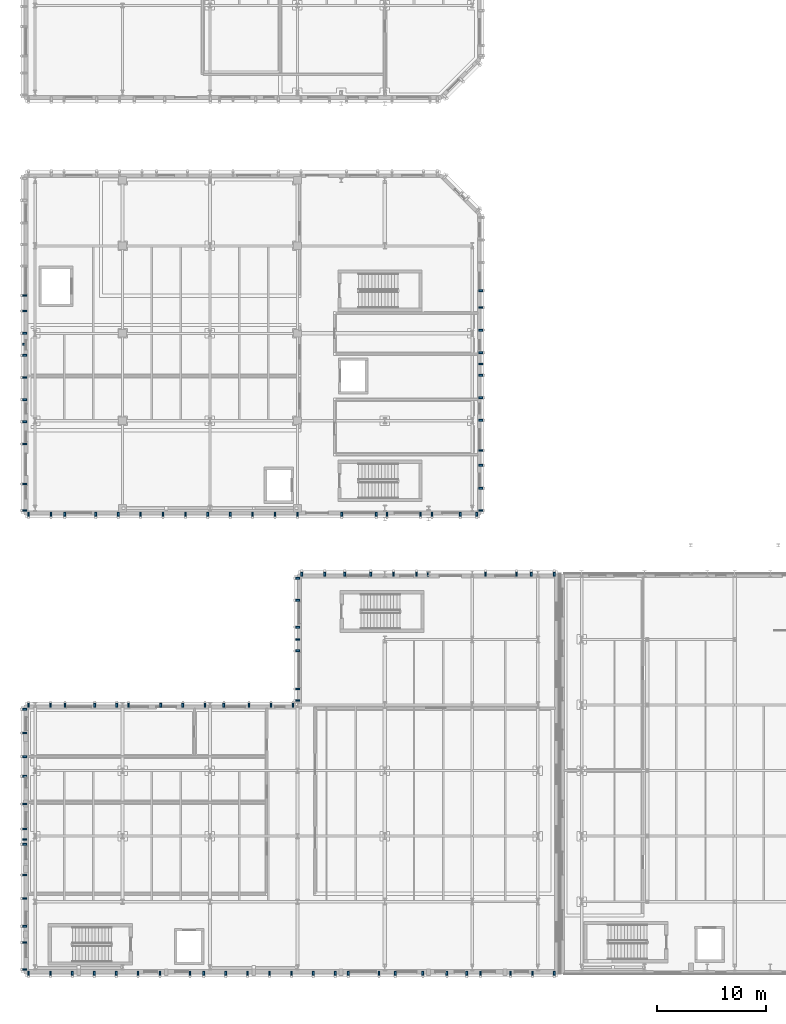
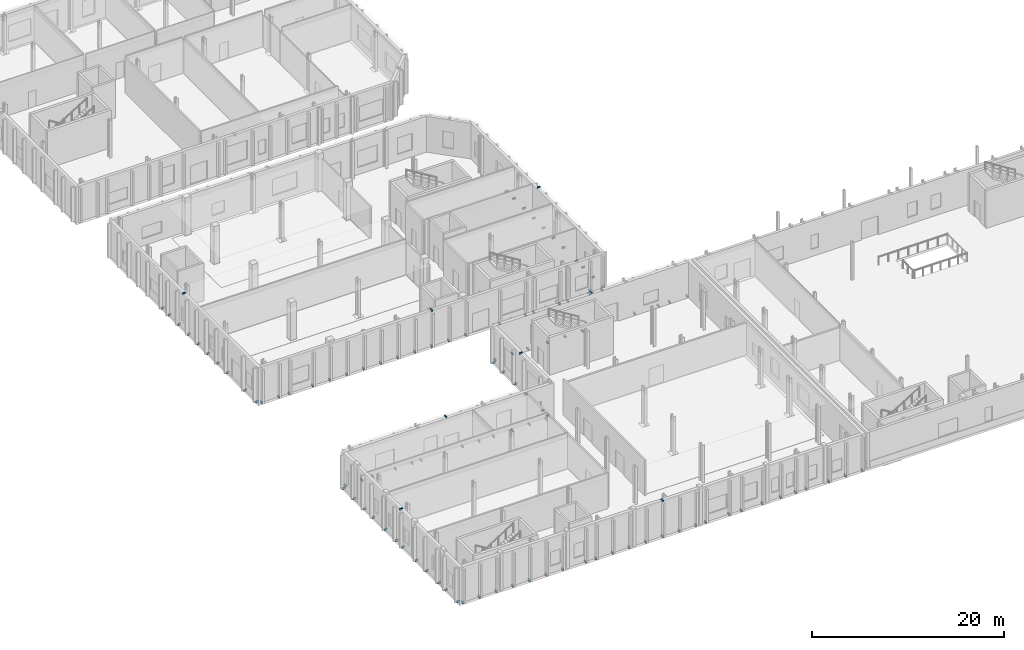
# One storey, part 36 of 60: 114 discrete accessories.
"""IFC4 building model written with IfcOpenShell, lengths in metres."""

from ifc_helpers import new_model, si_unit, direction, frame, origin, origin_2d, place, context, subcontext, project, spatial, rectangle, extrude, material, type_object, element, save


model = new_model("IFC4")

# Units and contexts
model_context = context("Model", 3, precision=1e-05, world=origin(), true_north=direction((0.0, 1.0)))
body_context = subcontext(model_context, "Body", "Model", "MODEL_VIEW")
ifc_project = project(units=[si_unit("LENGTHUNIT", "METRE"), si_unit("AREAUNIT", "SQUARE_METRE"), si_unit("VOLUMEUNIT", "CUBIC_METRE"), si_unit("PLANEANGLEUNIT", "RADIAN"), si_unit("MASSUNIT", "GRAM", prefix="KILO")], contexts=[model_context])

# Site, building, storey
site_placement = place(None, origin())
site = spatial("IfcSite", under=ifc_project, at=site_placement, CompositionType="ELEMENT")
building_placement = place(site_placement, origin())
building = spatial("IfcBuilding", under=site, at=building_placement, Name="Cymarion Research Institute", CompositionType="ELEMENT")
storey_placement = place(building_placement, origin())
storey = spatial("IfcBuildingStorey", under=building, at=storey_placement, Name="L00", CompositionType="ELEMENT", Elevation=0.0)

# Discrete accessories
ifc_material = material(Name="Steel S355", Category="steel")
discrete_accessory_type = type_object("IfcDiscreteAccessoryType", Name="STAINLESS STEEL FACADE FIN BRACKET FBK1", PredefinedType="BRACKET", material=ifc_material)
discrete_accessory_1_placement = place(storey_placement, frame((30.050048828125, 4.93994140625, 4.47021484375), z_axis=(0.0, 0.0, 1.0), x_axis=(0.0, -1.0, 0.0)))
element("IfcDiscreteAccessory", 1, at=discrete_accessory_1_placement, inside=storey, type_object=discrete_accessory_type, Name="L00 V3 spandrel brow anchor bracket #1", PredefinedType="BRACKET", context=body_context, shape_type="SweptSolid", body=[
    extrude(rectangle(XDim=0.3798828125, YDim=0.159912109375, at=origin_2d()), origin(), (0.0, 0.0, 1.0), 0.199951171875),
])
for number, where, z_axis, x_axis, name in (
    (2, (6.0, 4.93994140625, -0.08984375), (0.0, 0.0, 1.0), (0.0, -1.0, 0.0), "L00 V3 vertical rib anchor bracket #2"),
    (3, (8.004150390625, 4.93994140625, -0.08984375), (0.0, 0.0, 1.0), (0.0, -1.0, 0.0), "L00 V3 vertical rib anchor bracket #3"),
    (4, (10.00830078125, 4.93994140625, -0.08984375), (0.0, 0.0, 1.0), (0.0, -1.0, 0.0), "L00 V3 vertical rib anchor bracket #4"),
    (5, (12.012451171875, 4.93994140625, -0.08984375), (0.0, 0.0, 1.0), (0.0, -1.0, 0.0), "L00 V3 vertical rib anchor bracket #5"),
    (6, (14.0166015625, 4.93994140625, -0.08984375), (0.0, 0.0, 1.0), (0.0, -1.0, 0.0), "L00 V3 vertical rib anchor bracket #6"),
    (7, (16.020751953125, 4.93994140625, -0.08984375), (0.0, 0.0, 1.0), (0.0, -1.0, 0.0), "L00 V3 vertical rib anchor bracket #7"),
    (8, (18.02490234375, 4.93994140625, -0.08984375), (0.0, 0.0, 1.0), (0.0, -1.0, 0.0), "L00 V3 vertical rib anchor bracket #8"),
    (9, (20.77001953125, 4.93994140625, -0.08984375), (0.0, 0.0, 1.0), (0.0, -1.0, 0.0), "L00 V3 vertical rib anchor bracket #9"),
    (10, (22.033203125, 4.93994140625, -0.08984375), (0.0, 0.0, 1.0), (0.0, -1.0, 0.0), "L00 V3 vertical rib anchor bracket #10"),
    (11, (24.03759765625, 4.93994140625, -0.08984375), (0.0, 0.0, 1.0), (0.0, -1.0, 0.0), "L00 V3 vertical rib anchor bracket #11"),
    (12, (26.041748046875, 4.93994140625, -0.08984375), (0.0, 0.0, 1.0), (0.0, -1.0, 0.0), "L00 V3 vertical rib anchor bracket #12"),
    (13, (28.0458984375, 4.93994140625, -0.08984375), (0.0, 0.0, 1.0), (0.0, -1.0, 0.0), "L00 V3 vertical rib anchor bracket #13"),
    (14, (30.050048828125, 4.93994140625, -0.08984375), (0.0, 0.0, 1.0), (0.0, -1.0, 0.0), "L00 V3 vertical rib anchor bracket #14"),
    (15, (32.05419921875, 4.93994140625, -0.08984375), (0.0, 0.0, 1.0), (0.0, -1.0, 0.0), "L00 V3 vertical rib anchor bracket #15"),
    (16, (34.058349609375, 4.93994140625, -0.08984375), (0.0, 0.0, 1.0), (0.0, -1.0, 0.0), "L00 V3 vertical rib anchor bracket #16"),
    (17, (35.25, 4.93994140625, -0.08984375), (0.0, 0.0, 1.0), (0.0, -1.0, 0.0), "L00 V3 vertical rib anchor bracket #17"),
    (18, (38.066650390625, 4.93994140625, -0.08984375), (0.0, 0.0, 1.0), (0.0, -1.0, 0.0), "L00 V3 vertical rib anchor bracket #18"),
    (19, (39.550048828125, 4.93994140625, -0.08984375), (0.0, 0.0, 1.0), (0.0, -1.0, 0.0), "L00 V3 vertical rib anchor bracket #19"),
    (20, (42.074951171875, 4.93994140625, -0.08984375), (0.0, 0.0, 1.0), (0.0, -1.0, 0.0), "L00 V3 vertical rib anchor bracket #20"),
    (21, (44.27001953125, 4.93994140625, -0.08984375), (0.0, 0.0, 1.0), (0.0, -1.0, 0.0), "L00 V3 vertical rib anchor bracket #21"),
    (22, (46.083251953125, 4.93994140625, -0.08984375), (0.0, 0.0, 1.0), (0.0, -1.0, 0.0), "L00 V3 vertical rib anchor bracket #22"),
    (23, (47.35009765625, 4.93994140625, -0.08984375), (0.0, 0.0, 1.0), (0.0, -1.0, 0.0), "L00 V3 vertical rib anchor bracket #23"),
    (24, (50.091796875, 4.93994140625, -0.08984375), (0.0, 0.0, 1.0), (0.0, -1.0, 0.0), "L00 V3 vertical rib anchor bracket #24"),
    (25, (52.095703125, 4.93994140625, -0.08984375), (0.0, 0.0, 1.0), (0.0, -1.0, 0.0), "L00 V3 vertical rib anchor bracket #25"),
    (26, (54.10009765625, 4.93994140625, -0.08984375), (0.0, 0.0, 1.0), (0.0, -1.0, 0.0), "L00 V3 vertical rib anchor bracket #26"),
):
    element("IfcDiscreteAccessory", number, at=place(storey_placement, frame(where, z_axis=z_axis, x_axis=x_axis)), inside=storey, type_object=discrete_accessory_type, Name=name, PredefinedType="BRACKET", context=body_context, shape_type="SweptSolid", body=[
        extrude(rectangle(XDim=0.3798828125, YDim=0.159912109375, at=origin_2d()), origin(), (0.0, 0.0, 1.0), 0.219970703125),
    ])
discrete_accessory_2_placement = place(storey_placement, frame((42.550048828125, 41.4599609375, 4.47021484375), z_axis=(0.0, 0.0, 1.0), x_axis=(0.0, 1.0, 0.0)))
element("IfcDiscreteAccessory", 27, at=discrete_accessory_2_placement, inside=storey, type_object=discrete_accessory_type, Name="L00 V3 spandrel brow anchor bracket #27", PredefinedType="BRACKET", context=body_context, shape_type="SweptSolid", body=[
    extrude(rectangle(XDim=0.3798828125, YDim=0.159912109375, at=origin_2d()), origin(), (0.0, 0.0, 1.0), 0.199951171875),
])
for number, where, z_axis, x_axis, name in (
    (28, (54.10009765625, 41.4599609375, -0.08984375), (0.0, 0.0, 1.0), (0.0, 1.0, 0.0), "L00 V3 vertical rib anchor bracket #28"),
    (29, (52.0, 41.4599609375, -0.08984375), (0.0, 0.0, 1.0), (0.0, 1.0, 0.0), "L00 V3 vertical rib anchor bracket #29"),
    (30, (50.64990234375, 41.4599609375, -0.08984375), (0.0, 0.0, 1.0), (0.0, 1.0, 0.0), "L00 V3 vertical rib anchor bracket #30"),
    (31, (47.800048828125, 41.4599609375, -0.08984375), (0.0, 0.0, 1.0), (0.0, 1.0, 0.0), "L00 V3 vertical rib anchor bracket #31"),
    (32, (41.5, 41.4599609375, -0.08984375), (0.0, 0.0, 1.0), (0.0, 1.0, 0.0), "L00 V3 vertical rib anchor bracket #32"),
    (33, (39.39990234375, 41.4599609375, -0.08984375), (0.0, 0.0, 1.0), (0.0, 1.0, 0.0), "L00 V3 vertical rib anchor bracket #33"),
    (34, (37.300048828125, 41.4599609375, -0.08984375), (0.0, 0.0, 1.0), (0.0, 1.0, 0.0), "L00 V3 vertical rib anchor bracket #34"),
    (35, (34.929931640625, 41.4599609375, -0.08984375), (0.0, 0.0, 1.0), (0.0, 1.0, 0.0), "L00 V3 vertical rib anchor bracket #35"),
    (36, (33.10009765625, 41.4599609375, -0.08984375), (0.0, 0.0, 1.0), (0.0, 1.0, 0.0), "L00 V3 vertical rib anchor bracket #36"),
    (37, (31.0, 41.4599609375, -0.08984375), (0.0, 0.0, 1.0), (0.0, 1.0, 0.0), "L00 V3 vertical rib anchor bracket #37"),
):
    element("IfcDiscreteAccessory", number, at=place(storey_placement, frame(where, z_axis=z_axis, x_axis=x_axis)), inside=storey, type_object=discrete_accessory_type, Name=name, PredefinedType="BRACKET", context=body_context, shape_type="SweptSolid", body=[
        extrude(rectangle(XDim=0.3798828125, YDim=0.159912109375, at=origin_2d()), origin(), (0.0, 0.0, 1.0), 0.219970703125),
    ])
discrete_accessory_3_placement = place(storey_placement, frame((30.639892578125, 35.5, 4.47021484375), z_axis=(0.0, 0.0, 1.0), x_axis=(-1.0, 0.0, 0.0)))
element("IfcDiscreteAccessory", 38, at=discrete_accessory_3_placement, inside=storey, type_object=discrete_accessory_type, Name="L00 V3 spandrel brow anchor bracket #38", PredefinedType="BRACKET", context=body_context, shape_type="SweptSolid", body=[
    extrude(rectangle(XDim=0.3798828125, YDim=0.159912109375, at=origin_2d()), origin(), (0.0, 0.0, 1.0), 0.199951171875),
])
for number, where, z_axis, x_axis, name in (
    (39, (30.639892578125, 41.10009765625, -0.08984375), (0.0, 0.0, 1.0), (-1.0, 0.0, 0.0), "L00 V3 vertical rib anchor bracket #39"),
    (40, (30.639892578125, 39.089111328125, -0.08984375), (0.0, 0.0, 1.0), (-1.0, 0.0, 0.0), "L00 V3 vertical rib anchor bracket #40"),
    (41, (30.639892578125, 36.6201171875, -0.08984375), (0.0, 0.0, 1.0), (-1.0, 0.0, 0.0), "L00 V3 vertical rib anchor bracket #41"),
    (42, (30.639892578125, 34.449951171875, -0.08984375), (0.0, 0.0, 1.0), (-1.0, 0.0, 0.0), "L00 V3 vertical rib anchor bracket #42"),
    (43, (30.639892578125, 30.949951171875, -0.08984375), (0.0, 0.0, 1.0), (-1.0, 0.0, 0.0), "L00 V3 vertical rib anchor bracket #43"),
    (44, (30.639892578125, 29.89990234375, -0.08984375), (0.0, 0.0, 1.0), (-1.0, 0.0, 0.0), "L00 V3 vertical rib anchor bracket #44"),
):
    element("IfcDiscreteAccessory", number, at=place(storey_placement, frame(where, z_axis=z_axis, x_axis=x_axis)), inside=storey, type_object=discrete_accessory_type, Name=name, PredefinedType="BRACKET", context=body_context, shape_type="SweptSolid", body=[
        extrude(rectangle(XDim=0.3798828125, YDim=0.159912109375, at=origin_2d()), origin(), (0.0, 0.0, 1.0), 0.219970703125),
    ])
discrete_accessory_4_placement = place(storey_placement, frame((18.10009765625, 29.4599609375, 4.47021484375), z_axis=(0.0, 0.0, 1.0), x_axis=(0.0, 1.0, 0.0)))
element("IfcDiscreteAccessory", 45, at=discrete_accessory_4_placement, inside=storey, type_object=discrete_accessory_type, Name="L00 V3 spandrel brow anchor bracket #45", PredefinedType="BRACKET", context=body_context, shape_type="SweptSolid", body=[
    extrude(rectangle(XDim=0.3798828125, YDim=0.159912109375, at=origin_2d()), origin(), (0.0, 0.0, 1.0), 0.199951171875),
])
for number, where, z_axis, x_axis, name in (
    (46, (30.199951171875, 29.4599609375, -0.08984375), (0.0, 0.0, 1.0), (0.0, 1.0, 0.0), "L00 V3 vertical rib anchor bracket #46"),
    (47, (28.183349609375, 29.4599609375, -0.08984375), (0.0, 0.0, 1.0), (0.0, 1.0, 0.0), "L00 V3 vertical rib anchor bracket #47"),
    (48, (26.166748046875, 29.4599609375, -0.08984375), (0.0, 0.0, 1.0), (0.0, 1.0, 0.0), "L00 V3 vertical rib anchor bracket #48"),
    (49, (23.8701171875, 29.4599609375, -0.08984375), (0.0, 0.0, 1.0), (0.0, 1.0, 0.0), "L00 V3 vertical rib anchor bracket #49"),
    (50, (22.13330078125, 29.4599609375, -0.08984375), (0.0, 0.0, 1.0), (0.0, 1.0, 0.0), "L00 V3 vertical rib anchor bracket #50"),
    (51, (20.11669921875, 29.4599609375, -0.08984375), (0.0, 0.0, 1.0), (0.0, 1.0, 0.0), "L00 V3 vertical rib anchor bracket #51"),
    (52, (15.139892578125, 29.4599609375, -0.08984375), (0.0, 0.0, 1.0), (0.0, 1.0, 0.0), "L00 V3 vertical rib anchor bracket #52"),
    (53, (14.066650390625, 29.4599609375, -0.08984375), (0.0, 0.0, 1.0), (0.0, 1.0, 0.0), "L00 V3 vertical rib anchor bracket #53"),
    (54, (12.050048828125, 29.4599609375, -0.08984375), (0.0, 0.0, 1.0), (0.0, 1.0, 0.0), "L00 V3 vertical rib anchor bracket #54"),
    (55, (9.324951171875, 29.4599609375, -0.08984375), (0.0, 0.0, 1.0), (0.0, 1.0, 0.0), "L00 V3 vertical rib anchor bracket #55"),
    (56, (8.0166015625, 29.4599609375, -0.08984375), (0.0, 0.0, 1.0), (0.0, 1.0, 0.0), "L00 V3 vertical rib anchor bracket #56"),
    (57, (6.0, 29.4599609375, -0.08984375), (0.0, 0.0, 1.0), (0.0, 1.0, 0.0), "L00 V3 vertical rib anchor bracket #57"),
):
    element("IfcDiscreteAccessory", number, at=place(storey_placement, frame(where, z_axis=z_axis, x_axis=x_axis)), inside=storey, type_object=discrete_accessory_type, Name=name, PredefinedType="BRACKET", context=body_context, shape_type="SweptSolid", body=[
        extrude(rectangle(XDim=0.3798828125, YDim=0.159912109375, at=origin_2d()), origin(), (0.0, 0.0, 1.0), 0.219970703125),
    ])
discrete_accessory_5_placement = place(storey_placement, frame((5.639892578125, 17.199951171875, 4.47021484375), z_axis=(0.0, 0.0, 1.0), x_axis=(-1.0, 0.0, 0.0)))
element("IfcDiscreteAccessory", 58, at=discrete_accessory_5_placement, inside=storey, type_object=discrete_accessory_type, Name="L00 V3 spandrel brow anchor bracket #58", PredefinedType="BRACKET", context=body_context, shape_type="SweptSolid", body=[
    extrude(rectangle(XDim=0.3798828125, YDim=0.159912109375, at=origin_2d()), origin(), (0.0, 0.0, 1.0), 0.199951171875),
])
for number, where, z_axis, x_axis, name in (
    (59, (5.639892578125, 29.10009765625, -0.08984375), (0.0, 0.0, 1.0), (-1.0, 0.0, 0.0), "L00 V3 vertical rib anchor bracket #59"),
    (60, (5.639892578125, 26.936279296875, -0.08984375), (0.0, 0.0, 1.0), (-1.0, 0.0, 0.0), "L00 V3 vertical rib anchor bracket #60"),
    (61, (5.639892578125, 24.772705078125, -0.08984375), (0.0, 0.0, 1.0), (-1.0, 0.0, 0.0), "L00 V3 vertical rib anchor bracket #61"),
    (62, (5.639892578125, 22.97998046875, -0.08984375), (0.0, 0.0, 1.0), (-1.0, 0.0, 0.0), "L00 V3 vertical rib anchor bracket #62"),
    (63, (5.639892578125, 20.445556640625, -0.08984375), (0.0, 0.0, 1.0), (-1.0, 0.0, 0.0), "L00 V3 vertical rib anchor bracket #63"),
    (64, (5.639892578125, 18.14990234375, -0.08984375), (0.0, 0.0, 1.0), (-1.0, 0.0, 0.0), "L00 V3 vertical rib anchor bracket #64"),
    (65, (5.639892578125, 16.75, -0.08984375), (0.0, 0.0, 1.0), (-1.0, 0.0, 0.0), "L00 V3 vertical rib anchor bracket #65"),
    (66, (5.639892578125, 13.95458984375, -0.08984375), (0.0, 0.0, 1.0), (-1.0, 0.0, 0.0), "L00 V3 vertical rib anchor bracket #66"),
    (67, (5.639892578125, 11.791015625, -0.08984375), (0.0, 0.0, 1.0), (-1.0, 0.0, 0.0), "L00 V3 vertical rib anchor bracket #67"),
    (68, (5.639892578125, 9.25, -0.08984375), (0.0, 0.0, 1.0), (-1.0, 0.0, 0.0), "L00 V3 vertical rib anchor bracket #68"),
    (69, (5.639892578125, 7.760009765625, -0.08984375), (0.0, 0.0, 1.0), (-1.0, 0.0, 0.0), "L00 V3 vertical rib anchor bracket #69"),
    (70, (5.639892578125, 5.300048828125, -0.08984375), (0.0, 0.0, 1.0), (-1.0, 0.0, 0.0), "L00 V3 vertical rib anchor bracket #70"),
):
    element("IfcDiscreteAccessory", number, at=place(storey_placement, frame(where, z_axis=z_axis, x_axis=x_axis)), inside=storey, type_object=discrete_accessory_type, Name=name, PredefinedType="BRACKET", context=body_context, shape_type="SweptSolid", body=[
        extrude(rectangle(XDim=0.3798828125, YDim=0.159912109375, at=origin_2d()), origin(), (0.0, 0.0, 1.0), 0.219970703125),
    ])
discrete_accessory_6_placement = place(storey_placement, frame((26.5, 46.93994140625, 4.47021484375), z_axis=(0.0, 0.0, 1.0), x_axis=(0.0, -1.0, 0.0)))
element("IfcDiscreteAccessory", 71, at=discrete_accessory_6_placement, inside=storey, type_object=discrete_accessory_type, Name="L00 V4 spandrel brow anchor bracket #71", PredefinedType="BRACKET", context=body_context, shape_type="SweptSolid", body=[
    extrude(rectangle(XDim=0.3798828125, YDim=0.159912109375, at=origin_2d()), origin(), (0.0, 0.0, 1.0), 0.199951171875),
])
for number, where, z_axis, x_axis, name in (
    (72, (6.0, 46.93994140625, -0.08984375), (0.0, 0.0, 1.0), (0.0, -1.0, 0.0), "L00 V4 vertical rib anchor bracket #72"),
    (73, (8.050048828125, 46.93994140625, -0.08984375), (0.0, 0.0, 1.0), (0.0, -1.0, 0.0), "L00 V4 vertical rib anchor bracket #73"),
    (74, (9.31494140625, 46.93994140625, -0.08984375), (0.0, 0.0, 1.0), (0.0, -1.0, 0.0), "L00 V4 vertical rib anchor bracket #74"),
    (75, (12.14990234375, 46.93994140625, -0.08984375), (0.0, 0.0, 1.0), (0.0, -1.0, 0.0), "L00 V4 vertical rib anchor bracket #75"),
    (76, (14.199951171875, 46.93994140625, -0.08984375), (0.0, 0.0, 1.0), (0.0, -1.0, 0.0), "L00 V4 vertical rib anchor bracket #76"),
    (77, (16.25, 46.93994140625, -0.08984375), (0.0, 0.0, 1.0), (0.0, -1.0, 0.0), "L00 V4 vertical rib anchor bracket #77"),
    (78, (18.300048828125, 46.93994140625, -0.08984375), (0.0, 0.0, 1.0), (0.0, -1.0, 0.0), "L00 V4 vertical rib anchor bracket #78"),
    (79, (20.35009765625, 46.93994140625, -0.08984375), (0.0, 0.0, 1.0), (0.0, -1.0, 0.0), "L00 V4 vertical rib anchor bracket #79"),
    (80, (22.39990234375, 46.93994140625, -0.08984375), (0.0, 0.0, 1.0), (0.0, -1.0, 0.0), "L00 V4 vertical rib anchor bracket #80"),
    (81, (24.449951171875, 46.93994140625, -0.08984375), (0.0, 0.0, 1.0), (0.0, -1.0, 0.0), "L00 V4 vertical rib anchor bracket #81"),
    (82, (26.5, 46.93994140625, -0.08984375), (0.0, 0.0, 1.0), (0.0, -1.0, 0.0), "L00 V4 vertical rib anchor bracket #82"),
    (83, (28.550048828125, 46.93994140625, -0.08984375), (0.0, 0.0, 1.0), (0.0, -1.0, 0.0), "L00 V4 vertical rib anchor bracket #83"),
    (84, (30.60009765625, 46.93994140625, -0.08984375), (0.0, 0.0, 1.0), (0.0, -1.0, 0.0), "L00 V4 vertical rib anchor bracket #84"),
    (85, (34.655029296875, 46.93994140625, -0.08984375), (0.0, 0.0, 1.0), (0.0, -1.0, 0.0), "L00 V4 vertical rib anchor bracket #85"),
    (86, (37.804931640625, 46.93994140625, -0.08984375), (0.0, 0.0, 1.0), (0.0, -1.0, 0.0), "L00 V4 vertical rib anchor bracket #86"),
    (87, (38.800048828125, 46.93994140625, -0.08984375), (0.0, 0.0, 1.0), (0.0, -1.0, 0.0), "L00 V4 vertical rib anchor bracket #87"),
    (88, (41.85009765625, 46.93994140625, -0.08984375), (0.0, 0.0, 1.0), (0.0, -1.0, 0.0), "L00 V4 vertical rib anchor bracket #88"),
    (89, (42.89990234375, 46.93994140625, -0.08984375), (0.0, 0.0, 1.0), (0.0, -1.0, 0.0), "L00 V4 vertical rib anchor bracket #89"),
    (90, (45.5, 46.93994140625, -0.08984375), (0.0, 0.0, 1.0), (0.0, -1.0, 0.0), "L00 V4 vertical rib anchor bracket #90"),
    (91, (47.0, 46.93994140625, -0.08984375), (0.0, 0.0, 1.0), (0.0, -1.0, 0.0), "L00 V4 vertical rib anchor bracket #91"),
):
    element("IfcDiscreteAccessory", number, at=place(storey_placement, frame(where, z_axis=z_axis, x_axis=x_axis)), inside=storey, type_object=discrete_accessory_type, Name=name, PredefinedType="BRACKET", context=body_context, shape_type="SweptSolid", body=[
        extrude(rectangle(XDim=0.3798828125, YDim=0.159912109375, at=origin_2d()), origin(), (0.0, 0.0, 1.0), 0.219970703125),
    ])
discrete_accessory_7_placement = place(storey_placement, frame((47.360107421875, 60.699951171875, 4.47021484375), z_axis=(0.0, 0.0, 1.0), x_axis=(1.0, 0.0, 0.0)))
element("IfcDiscreteAccessory", 92, at=discrete_accessory_7_placement, inside=storey, type_object=discrete_accessory_type, Name="L00 V4 spandrel brow anchor bracket #92", PredefinedType="BRACKET", context=body_context, shape_type="SweptSolid", body=[
    extrude(rectangle(XDim=0.3798828125, YDim=0.159912109375, at=origin_2d()), origin(), (0.0, 0.0, 1.0), 0.199951171875),
])
for number, where, z_axis, x_axis, name in (
    (93, (47.360107421875, 47.300048828125, -0.08984375), (0.0, 0.0, 1.0), (1.0, 0.0, 0.0), "L00 V4 vertical rib anchor bracket #93"),
    (94, (47.360107421875, 49.320068359375, -0.08984375), (0.0, 0.0, 1.0), (1.0, 0.0, 0.0), "L00 V4 vertical rib anchor bracket #94"),
    (95, (47.360107421875, 51.423095703125, -0.08984375), (0.0, 0.0, 1.0), (1.0, 0.0, 0.0), "L00 V4 vertical rib anchor bracket #95"),
    (96, (47.360107421875, 52.780029296875, -0.08984375), (0.0, 0.0, 1.0), (1.0, 0.0, 0.0), "L00 V4 vertical rib anchor bracket #96"),
    (97, (47.360107421875, 55.546142578125, -0.08984375), (0.0, 0.0, 1.0), (1.0, 0.0, 0.0), "L00 V4 vertical rib anchor bracket #97"),
    (98, (47.360107421875, 57.607666015625, -0.08984375), (0.0, 0.0, 1.0), (1.0, 0.0, 0.0), "L00 V4 vertical rib anchor bracket #98"),
    (99, (47.360107421875, 59.669189453125, -0.08984375), (0.0, 0.0, 1.0), (1.0, 0.0, 0.0), "L00 V4 vertical rib anchor bracket #99"),
    (100, (47.360107421875, 61.730712890625, -0.08984375), (0.0, 0.0, 1.0), (1.0, 0.0, 0.0), "L00 V4 vertical rib anchor bracket #100"),
    (101, (47.360107421875, 63.792236328125, -0.08984375), (0.0, 0.0, 1.0), (1.0, 0.0, 0.0), "L00 V4 vertical rib anchor bracket #101"),
    (102, (47.360107421875, 65.853759765625, -0.08984375), (0.0, 0.0, 1.0), (1.0, 0.0, 0.0), "L00 V4 vertical rib anchor bracket #102"),
    (103, (47.360107421875, 67.405029296875, -0.08984375), (0.0, 0.0, 1.0), (1.0, 0.0, 0.0), "L00 V4 vertical rib anchor bracket #103"),
):
    element("IfcDiscreteAccessory", number, at=place(storey_placement, frame(where, z_axis=z_axis, x_axis=x_axis)), inside=storey, type_object=discrete_accessory_type, Name=name, PredefinedType="BRACKET", context=body_context, shape_type="SweptSolid", body=[
        extrude(rectangle(XDim=0.3798828125, YDim=0.159912109375, at=origin_2d()), origin(), (0.0, 0.0, 1.0), 0.219970703125),
    ])
discrete_accessory_8_placement = place(storey_placement, frame((5.639892578125, 62.5, 4.47021484375), z_axis=(0.0, 0.0, 1.0), x_axis=(-1.0, 0.0, 0.0)))
element("IfcDiscreteAccessory", 104, at=discrete_accessory_8_placement, inside=storey, type_object=discrete_accessory_type, Name="L00 V4 spandrel brow anchor bracket #129", PredefinedType="BRACKET", context=body_context, shape_type="SweptSolid", body=[
    extrude(rectangle(XDim=0.3798828125, YDim=0.159912109375, at=origin_2d()), origin(), (0.0, 0.0, 1.0), 0.199951171875),
])
for number, where, z_axis, x_axis, name in (
    (105, (5.639892578125, 66.955078125, -0.08984375), (0.0, 0.0, 1.0), (-1.0, 0.0, 0.0), "L00 V4 vertical rib anchor bracket #135"),
    (106, (5.639892578125, 65.5400390625, -0.08984375), (0.0, 0.0, 1.0), (-1.0, 0.0, 0.0), "L00 V4 vertical rib anchor bracket #136"),
    (107, (5.639892578125, 63.51318359375, -0.08984375), (0.0, 0.0, 1.0), (-1.0, 0.0, 0.0), "L00 V4 vertical rib anchor bracket #137"),
    (108, (5.639892578125, 61.48681640625, -0.08984375), (0.0, 0.0, 1.0), (-1.0, 0.0, 0.0), "L00 V4 vertical rib anchor bracket #138"),
    (109, (5.639892578125, 59.4599609375, -0.08984375), (0.0, 0.0, 1.0), (-1.0, 0.0, 0.0), "L00 V4 vertical rib anchor bracket #139"),
    (110, (5.639892578125, 57.433349609375, -0.08984375), (0.0, 0.0, 1.0), (-1.0, 0.0, 0.0), "L00 V4 vertical rib anchor bracket #140"),
    (111, (5.639892578125, 55.40673828125, -0.08984375), (0.0, 0.0, 1.0), (-1.0, 0.0, 0.0), "L00 V4 vertical rib anchor bracket #141"),
    (112, (5.639892578125, 53.3798828125, -0.08984375), (0.0, 0.0, 1.0), (-1.0, 0.0, 0.0), "L00 V4 vertical rib anchor bracket #142"),
    (113, (5.639892578125, 49.715087890625, -0.08984375), (0.0, 0.0, 1.0), (-1.0, 0.0, 0.0), "L00 V4 vertical rib anchor bracket #143"),
    (114, (5.639892578125, 47.300048828125, -0.08984375), (0.0, 0.0, 1.0), (-1.0, 0.0, 0.0), "L00 V4 vertical rib anchor bracket #144"),
):
    element("IfcDiscreteAccessory", number, at=place(storey_placement, frame(where, z_axis=z_axis, x_axis=x_axis)), inside=storey, type_object=discrete_accessory_type, Name=name, PredefinedType="BRACKET", context=body_context, shape_type="SweptSolid", body=[
        extrude(rectangle(XDim=0.3798828125, YDim=0.159912109375, at=origin_2d()), origin(), (0.0, 0.0, 1.0), 0.219970703125),
    ])

save(model, "model.ifc")
